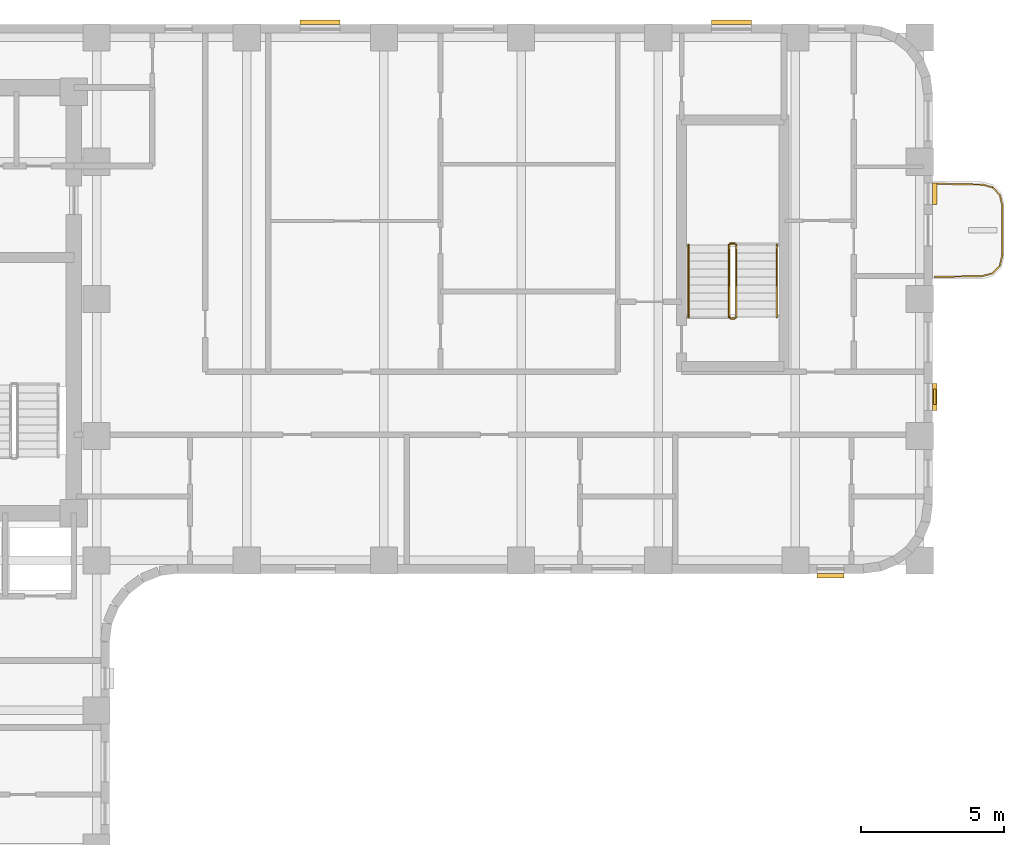
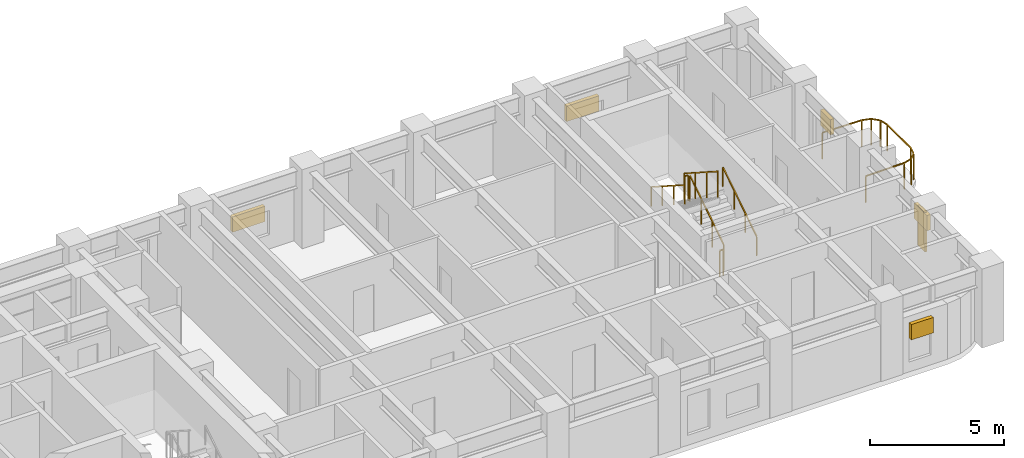
# One storey, part 11 of 11: 7 railings, 6 shading devices.
"""IFC4 building model written with IfcOpenShell, lengths in metres."""

from ifc_helpers import new_model, si_unit, direction, frame, origin, origin_2d, place, context, subcontext, project, spatial, rectangle, extrude, material, type_object, element, save


model = new_model("IFC4")

# Units and contexts
model_context = context("Model", 3, precision=1e-05, world=origin(), true_north=direction((0.0, 1.0)))
body_context = subcontext(model_context, "Body", "Model", "MODEL_VIEW")
ifc_project = project(units=[si_unit("LENGTHUNIT", "METRE"), si_unit("AREAUNIT", "SQUARE_METRE"), si_unit("VOLUMEUNIT", "CUBIC_METRE"), si_unit("PLANEANGLEUNIT", "RADIAN"), si_unit("MASSUNIT", "GRAM", prefix="KILO")], contexts=[model_context])

# Site, building, storey
site_placement = place(None, origin())
site = spatial("IfcSite", under=ifc_project, at=site_placement, CompositionType="ELEMENT")
building_placement = place(site_placement, origin())
building = spatial("IfcBuilding", under=site, at=building_placement, Name="Orvandelia Arch Residences", CompositionType="ELEMENT")
storey_placement = place(building_placement, frame((0.0, 0.0, 125.199951171875)))
storey = spatial("IfcBuildingStorey", under=building, at=storey_placement, Name="L32", CompositionType="ELEMENT", Elevation=125.199951171875)

# Railings
ifc_material_1 = material(Name="Marine-Grade Stainless Steel 316", Category="steel")
railing_type_1 = type_object("IfcRailingType", Name="GRD-BAL-1200", PredefinedType="BALUSTRADE", material=ifc_material_1)
railing_1_placement = place(storey_placement, frame((52.871826171875, 39.169677734375, 0.0)))
element("IfcRailing", 1, at=railing_1_placement, inside=storey, type_object=railing_type_1, Name="Safety Balustrade Guard GRD-L32-BAL-L32-E1-1", PredefinedType="BALUSTRADE", context=body_context, shape_type="SweptSolid", body=[
    extrude(rectangle(XDim=0.048095703125, YDim=0.048095703125, at=origin_2d()), frame((0.0, 0.0, 1.19580078125), z_axis=(0.999837384468, 0.018033430643, 0.0), x_axis=(-0.018033430643, 0.999837384468, 0.0)), (0.0, 0.0, 1.0), 1.6787109375),
    extrude(rectangle(XDim=0.048095703125, YDim=0.048095703125, at=origin_2d()), frame((1.678466796875, 0.0302734375, 1.19580078125), z_axis=(0.96348920644, 0.267747173792, 0.0), x_axis=(-0.267747173792, 0.96348920644, 0.0)), (0.0, 0.0, 1.0), 0.36572265625),
    extrude(rectangle(XDim=0.048095703125, YDim=0.048095703125, at=origin_2d()), frame((2.03076171875, 0.128173828125, 1.19580078125), z_axis=(0.687947031175, 0.725760898848, 0.0), x_axis=(-0.725760898848, 0.687947031175, 0.0)), (0.0, 0.0, 1.0), 0.367919921875),
    extrude(rectangle(XDim=0.048095703125, YDim=0.048095703125, at=origin_2d()), frame((2.283935546875, 0.395263671875, 1.19580078125), z_axis=(0.221225034864, 0.975222786828, 0.0), x_axis=(-0.975222786828, 0.221225034864, 0.0)), (0.0, 0.0, 1.0), 0.373046875),
    extrude(rectangle(XDim=0.048095703125, YDim=0.048095703125, at=origin_2d()), frame((2.366455078125, 0.759033203125, 1.19580078125), z_axis=(0.0, 1.0, 0.0), x_axis=(-1.0, 0.0, 0.0)), (0.0, 0.0, 1.0), 1.74267578125),
    extrude(rectangle(XDim=0.048095703125, YDim=0.048095703125, at=origin_2d()), frame((2.366455078125, 2.501708984375, 1.19580078125), z_axis=(-0.221225034864, 0.975222786828, 0.0), x_axis=(-0.975222786828, -0.221225034864, 0.0)), (0.0, 0.0, 1.0), 0.373046875),
    extrude(rectangle(XDim=0.048095703125, YDim=0.048095703125, at=origin_2d()), frame((2.283935546875, 2.865478515625, 1.19580078125), z_axis=(-0.688278345278, 0.725446703364, 0.0), x_axis=(-0.725446703364, -0.688278345278, 0.0)), (0.0, 0.0, 1.0), 0.367919921875),
    extrude(rectangle(XDim=0.048095703125, YDim=0.048095703125, at=origin_2d()), frame((2.03076171875, 3.13232421875, 1.19580078125), z_axis=(-0.96348920644, 0.267747173792, 0.0), x_axis=(-0.267747173792, -0.96348920644, 0.0)), (0.0, 0.0, 1.0), 0.36572265625),
    extrude(rectangle(XDim=0.048095703125, YDim=0.048095703125, at=origin_2d()), frame((1.678466796875, 3.230224609375, 1.19580078125), z_axis=(-0.999834751713, 0.018178813668, 0.0), x_axis=(-0.018178813668, -0.999834751713, 0.0)), (0.0, 0.0, 1.0), 1.6787109375),
    extrude(rectangle(XDim=0.0419921875, YDim=0.0419921875, at=origin_2d()), origin(), (0.0, 0.0, 1.0), 1.171875),
    extrude(rectangle(XDim=0.0419921875, YDim=0.0419921875, at=origin_2d()), frame((1.678466796875, 0.0302734375, 0.0)), (0.0, 0.0, 1.0), 1.171875),
    extrude(rectangle(XDim=0.0419921875, YDim=0.0419921875, at=origin_2d()), frame((2.03076171875, 0.128173828125, 0.0)), (0.0, 0.0, 1.0), 1.171875),
    extrude(rectangle(XDim=0.0419921875, YDim=0.0419921875, at=origin_2d()), frame((2.283935546875, 0.395263671875, 0.0)), (0.0, 0.0, 1.0), 1.171875),
    extrude(rectangle(XDim=0.0419921875, YDim=0.0419921875, at=origin_2d()), frame((2.366455078125, 0.759033203125, 0.0)), (0.0, 0.0, 1.0), 1.171875),
    extrude(rectangle(XDim=0.0419921875, YDim=0.0419921875, at=origin_2d()), frame((2.366455078125, 2.501708984375, 0.0)), (0.0, 0.0, 1.0), 1.171875),
    extrude(rectangle(XDim=0.0419921875, YDim=0.0419921875, at=origin_2d()), frame((2.283935546875, 2.865478515625, 0.0)), (0.0, 0.0, 1.0), 1.171875),
    extrude(rectangle(XDim=0.0419921875, YDim=0.0419921875, at=origin_2d()), frame((2.03076171875, 3.13232421875, 0.0)), (0.0, 0.0, 1.0), 1.171875),
    extrude(rectangle(XDim=0.0419921875, YDim=0.0419921875, at=origin_2d()), frame((1.678466796875, 3.230224609375, 0.0)), (0.0, 0.0, 1.0), 1.171875),
    extrude(rectangle(XDim=0.0419921875, YDim=0.0419921875, at=origin_2d()), frame((0.0, 3.2607421875, 0.0)), (0.0, 0.0, 1.0), 1.171875),
])
ifc_material_2 = material(Name="Brushed Stainless Steel 304", Category="steel")
railing_type_2 = type_object("IfcRailingType", Name="RL-STAIR-GD1120", PredefinedType="GUARDRAIL", material=ifc_material_2)
railing_2_placement = place(storey_placement, frame((45.929931640625, 37.77001953125, 0.179931640625)))
element("IfcRailing", 2, at=railing_2_placement, inside=storey, type_object=railing_type_2, Name="L32 ST-3 stair guard 1", PredefinedType="GUARDRAIL", context=body_context, shape_type="SweptSolid", body=[
    extrude(rectangle(XDim=0.048095703125, YDim=0.048095703125, at=origin_2d()), frame((0.0, 0.0, 1.17578125), z_axis=(0.0, 0.841162588446, 0.540782303519), x_axis=(-1.0, 0.0, 0.0)), (0.0, 0.0, 1.0), 2.995849609375),
    extrude(rectangle(XDim=0.0419921875, YDim=0.0419921875, at=origin_2d()), origin(), (0.0, 0.0, 1.0), 1.15185546875),
    extrude(rectangle(XDim=0.0419921875, YDim=0.0419921875, at=origin_2d()), frame((0.0, 0.840087890625, 0.5400390625)), (0.0, 0.0, 1.0), 1.15185546875),
    extrude(rectangle(XDim=0.0419921875, YDim=0.0419921875, at=origin_2d()), frame((0.0, 1.679931640625, 1.080078125)), (0.0, 0.0, 1.0), 1.15185546875),
    extrude(rectangle(XDim=0.0419921875, YDim=0.0419921875, at=origin_2d()), frame((0.0, 2.52001953125, 1.6201171875)), (0.0, 0.0, 1.0), 1.15185546875),
])
railing_3_placement = place(storey_placement, frame((45.8798828125, 40.340087890625, 1.800048828125)))
element("IfcRailing", 3, at=railing_3_placement, inside=storey, type_object=railing_type_2, Name="L32 ST-3 stair guard 2", PredefinedType="GUARDRAIL", context=body_context, shape_type="SweptSolid", body=[
    extrude(rectangle(XDim=0.048095703125, YDim=0.048095703125, at=origin_2d()), frame((0.0, 0.0, 1.17578125), z_axis=(-1.0, 0.0, 0.0), x_axis=(0.0, -1.0, 0.0)), (0.0, 0.0, 1.0), 0.14990234375),
    extrude(rectangle(XDim=0.0419921875, YDim=0.0419921875, at=origin_2d()), origin(), (0.0, 0.0, 1.0), 1.15185546875),
    extrude(rectangle(XDim=0.0419921875, YDim=0.0419921875, at=origin_2d()), frame((-0.14990234375, 0.0, 0.0)), (0.0, 0.0, 1.0), 1.15185546875),
])
railing_4_placement = place(storey_placement, frame((45.679931640625, 40.2900390625, 1.97998046875)))
element("IfcRailing", 4, at=railing_4_placement, inside=storey, type_object=railing_type_2, Name="L32 ST-3 stair guard 3", PredefinedType="GUARDRAIL", context=body_context, shape_type="SweptSolid", body=[
    extrude(rectangle(XDim=0.048095703125, YDim=0.048095703125, at=origin_2d()), frame((0.0, 0.0, 1.17578125), z_axis=(0.0, -0.841162588446, 0.540782303519), x_axis=(1.0, 0.0, 0.0)), (0.0, 0.0, 1.0), 2.995849609375),
    extrude(rectangle(XDim=0.0419921875, YDim=0.0419921875, at=origin_2d()), origin(), (0.0, 0.0, 1.0), 1.15185546875),
    extrude(rectangle(XDim=0.0419921875, YDim=0.0419921875, at=origin_2d()), frame((0.0, -0.840087890625, 0.5400390625)), (0.0, 0.0, 1.0), 1.15185546875),
    extrude(rectangle(XDim=0.0419921875, YDim=0.0419921875, at=origin_2d()), frame((0.0, -1.679931640625, 1.080078125)), (0.0, 0.0, 1.0), 1.15185546875),
    extrude(rectangle(XDim=0.0419921875, YDim=0.0419921875, at=origin_2d()), frame((0.0, -2.52001953125, 1.6201171875)), (0.0, 0.0, 1.0), 1.15185546875),
])
railing_5_placement = place(storey_placement, frame((45.8798828125, 37.719970703125, 0.0)))
element("IfcRailing", 5, at=railing_5_placement, inside=storey, type_object=railing_type_2, Name="L32 ST-3 stair guard 4", PredefinedType="GUARDRAIL", context=body_context, shape_type="SweptSolid", body=[
    extrude(rectangle(XDim=0.048095703125, YDim=0.048095703125, at=origin_2d()), frame((0.0, 0.0, 1.17578125), z_axis=(-1.0, 0.0, 0.0), x_axis=(0.0, -1.0, 0.0)), (0.0, 0.0, 1.0), 0.14990234375),
    extrude(rectangle(XDim=0.0419921875, YDim=0.0419921875, at=origin_2d()), origin(), (0.0, 0.0, 1.0), 1.15185546875),
    extrude(rectangle(XDim=0.0419921875, YDim=0.0419921875, at=origin_2d()), frame((-0.14990234375, 0.0, 0.0)), (0.0, 0.0, 1.0), 1.15185546875),
])
railing_type_3 = type_object("IfcRailingType", Name="RL-STAIR-HR920", PredefinedType="HANDRAIL", material=ifc_material_2)
railing_6_placement = place(storey_placement, frame((47.35009765625, 37.77001953125, 0.360107421875)))
element("IfcRailing", 6, at=railing_6_placement, inside=storey, type_object=railing_type_3, Name="L32 ST-3 stair handrail 1", PredefinedType="HANDRAIL", context=body_context, shape_type="SweptSolid", body=[
    extrude(rectangle(XDim=0.048095703125, YDim=0.048095703125, at=origin_2d()), frame((0.0, 0.0, 0.8759765625), z_axis=(0.0, 0.841199657755, 0.540724639528), x_axis=(-1.0, 0.0, 0.0)), (0.0, 0.0, 1.0), 2.995849609375),
    extrude(rectangle(XDim=0.0419921875, YDim=0.0419921875, at=origin_2d()), origin(), (0.0, 0.0, 1.0), 0.851806640625),
    extrude(rectangle(XDim=0.0419921875, YDim=0.0419921875, at=origin_2d()), frame((0.0, 0.840087890625, 0.5400390625)), (0.0, 0.0, 1.0), 0.851806640625),
    extrude(rectangle(XDim=0.0419921875, YDim=0.0419921875, at=origin_2d()), frame((0.0, 1.679931640625, 1.079833984375)), (0.0, 0.0, 1.0), 0.851806640625),
    extrude(rectangle(XDim=0.0419921875, YDim=0.0419921875, at=origin_2d()), frame((0.0, 2.52001953125, 1.619873046875)), (0.0, 0.0, 1.0), 0.851806640625),
])
railing_7_placement = place(storey_placement, frame((44.260009765625, 40.2900390625, 2.16015625)))
element("IfcRailing", 7, at=railing_7_placement, inside=storey, type_object=railing_type_3, Name="L32 ST-3 stair handrail 2", PredefinedType="HANDRAIL", context=body_context, shape_type="SweptSolid", body=[
    extrude(rectangle(XDim=0.048095703125, YDim=0.048095703125, at=origin_2d()), frame((0.0, 0.0, 0.8759765625), z_axis=(0.0, -0.841199657755, 0.540724639528), x_axis=(1.0, 0.0, 0.0)), (0.0, 0.0, 1.0), 2.995849609375),
    extrude(rectangle(XDim=0.0419921875, YDim=0.0419921875, at=origin_2d()), origin(), (0.0, 0.0, 1.0), 0.851806640625),
    extrude(rectangle(XDim=0.0419921875, YDim=0.0419921875, at=origin_2d()), frame((0.0, -0.840087890625, 0.5400390625)), (0.0, 0.0, 1.0), 0.851806640625),
    extrude(rectangle(XDim=0.0419921875, YDim=0.0419921875, at=origin_2d()), frame((0.0, -1.679931640625, 1.079833984375)), (0.0, 0.0, 1.0), 0.851806640625),
    extrude(rectangle(XDim=0.0419921875, YDim=0.0419921875, at=origin_2d()), frame((0.0, -2.52001953125, 1.619873046875)), (0.0, 0.0, 1.0), 0.851806640625),
])

# Shading devices
ifc_material_3 = material(Name="Anodised Champagne-Bronze Extruded Aluminium", Category="aluminium")
shading_device_type_1 = type_object("IfcShadingDeviceType", Name="SHD-JALOUSIE-SCREEN", PredefinedType="JALOUSIE", material=ifc_material_3)
for number, where, z_axis, x_axis, name in (
    (8, (45.762451171875, 48.080078125, 1.05029296875), (0.0, 0.0, 1.0), (1.0, 0.0, 0.0), "Bronze Jalousie Sun-Shade L32-001"),
    (9, (31.367431640625, 48.080078125, 1.05029296875), (0.0, 0.0, 1.0), (1.0, 0.0, 0.0), "Bronze Jalousie Sun-Shade L32-002"),
):
    element("IfcShadingDevice", number, at=place(storey_placement, frame(where, z_axis=z_axis, x_axis=x_axis)), inside=storey, type_object=shading_device_type_1, Name=name, PredefinedType="JALOUSIE", context=body_context, shape_type="SweptSolid", body=[
        extrude(rectangle(XDim=1.39990234375, YDim=0.159912109375, at=origin_2d()), origin(), (0.0, 0.0, 1.0), 0.699951171875),
    ])
shading_device_1_placement = place(storey_placement, frame((52.8798828125, 34.972412109375, 1.55029296875), z_axis=(0.0, 0.0, 1.0), x_axis=(0.0, -1.0, 0.0)))
element("IfcShadingDevice", 10, at=shading_device_1_placement, inside=storey, type_object=shading_device_type_1, Name="Bronze Jalousie Sun-Shade L32-003", PredefinedType="JALOUSIE", context=body_context, shape_type="SweptSolid", body=[
    extrude(rectangle(XDim=0.949951171875, YDim=0.159912109375, at=origin_2d()), origin(), (0.0, 0.0, 1.0), 0.699951171875),
])
shading_device_2_placement = place(storey_placement, frame((52.8798828125, 42.077392578125, 1.55029296875), z_axis=(0.0, 0.0, 1.0), x_axis=(0.0, -1.0, 0.0)))
element("IfcShadingDevice", 11, at=shading_device_2_placement, inside=storey, type_object=shading_device_type_1, Name="Bronze Jalousie Sun-Shade L32-004", PredefinedType="JALOUSIE", context=body_context, shape_type="SweptSolid", body=[
    extrude(rectangle(XDim=0.75, YDim=0.159912109375, at=origin_2d()), origin(), (0.0, 0.0, 1.0), 0.699951171875),
])
shading_device_3_placement = place(storey_placement, frame((49.2275390625, 28.719970703125, 1.55029296875), z_axis=(0.0, 0.0, 1.0), x_axis=(-1.0, 0.0, 0.0)))
element("IfcShadingDevice", 12, at=shading_device_3_placement, inside=storey, type_object=shading_device_type_1, Name="Bronze Jalousie Sun-Shade L32-005", PredefinedType="JALOUSIE", context=body_context, shape_type="SweptSolid", body=[
    extrude(rectangle(XDim=0.949951171875, YDim=0.159912109375, at=origin_2d()), origin(), (0.0, 0.0, 1.0), 0.699951171875),
])
ifc_material_4 = material(Name="Marine-Grade Perforated Aluminium Storm Shutter", Category="aluminium")
shading_device_type_2 = type_object("IfcShadingDeviceType", Name="SHD-STORM-SHUTTER", PredefinedType="SHUTTER", material=ifc_material_4)
shading_device_4_placement = place(storey_placement, frame((52.8798828125, 34.972412109375, 0.4501953125), z_axis=(0.0, 0.0, 1.0), x_axis=(0.0, -1.0, 0.0)))
element("IfcShadingDevice", 13, at=shading_device_4_placement, inside=storey, type_object=shading_device_type_2, Name="Operable Typhoon Storm Shutter L32-003", PredefinedType="SHUTTER", context=body_context, shape_type="SweptSolid", body=[
    extrude(rectangle(XDim=0.550048828125, YDim=0.080078125, at=origin_2d()), origin(), (0.0, 0.0, 1.0), 1.800048828125),
])

save(model, "model.ifc")
